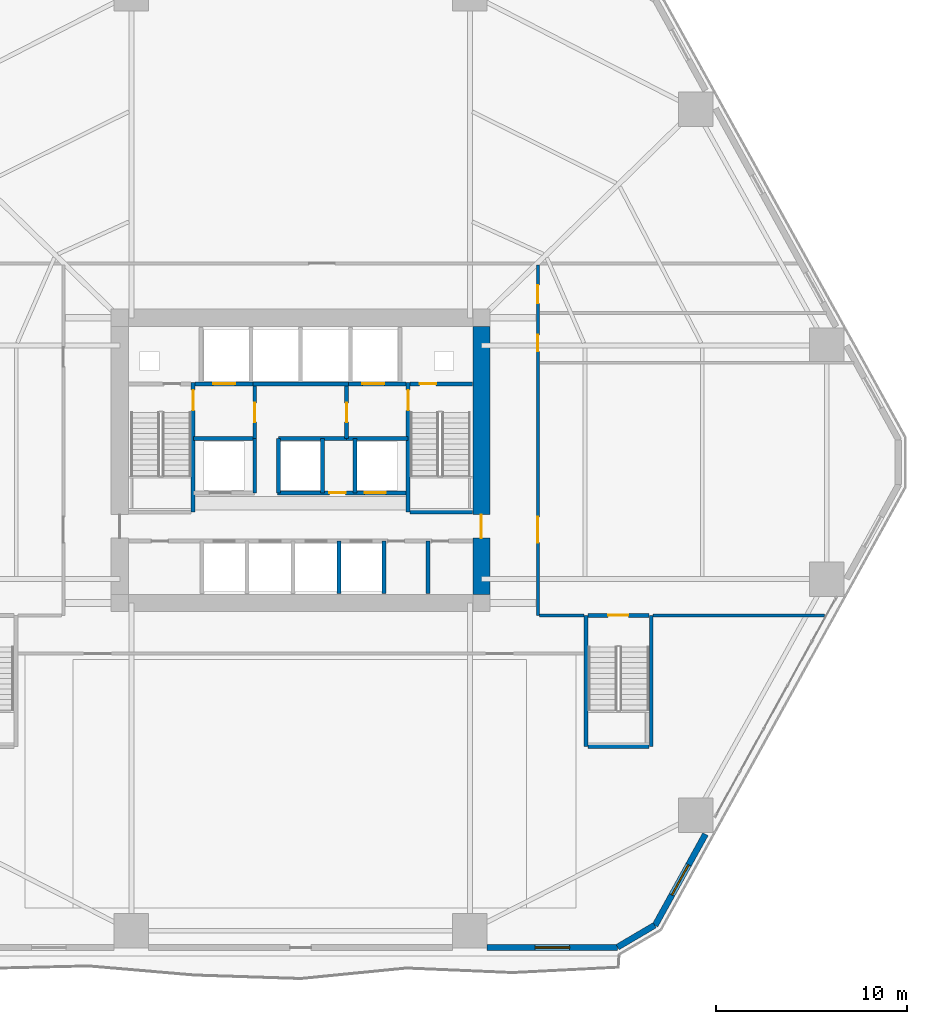
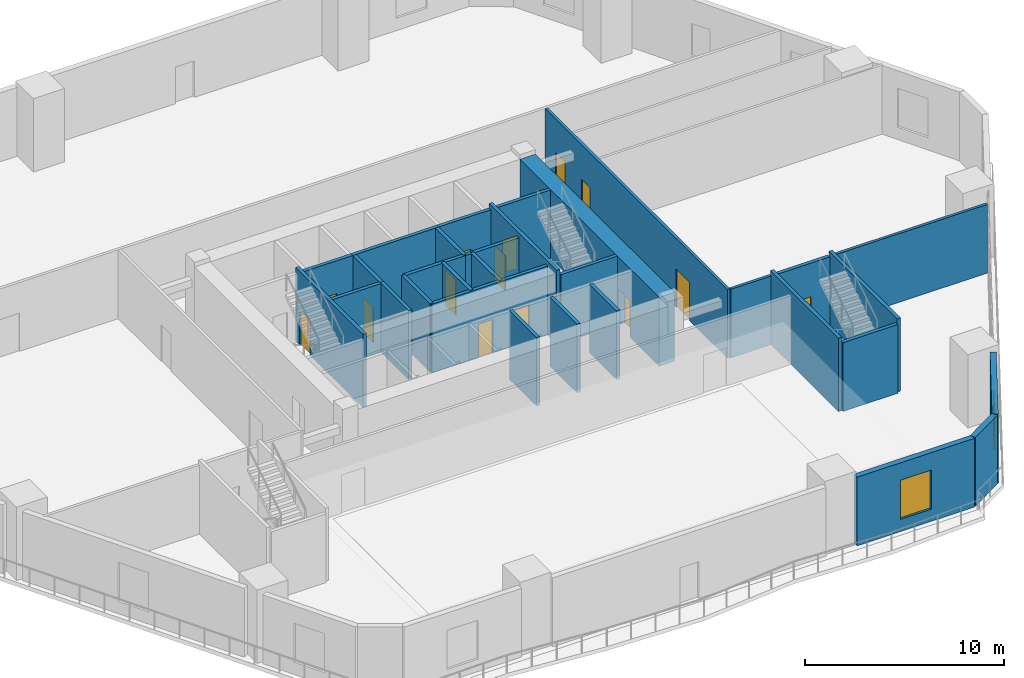
# One storey, part 10 of 18: 31 walls, 14 doors, 2 windows, 16 openings.
"""IFC4 building model written with IfcOpenShell, lengths in metres."""

import ifcopenshell
import ifcopenshell.guid

model = None  # the IFC model being written
_history = None  # IfcOwnerHistory: only IFC2X3 demands one
_inside = {}  # id of a spatial element -> (the spatial element, [elements in it])
_under = {}  # id of a project, library or spatial element -> (it, [spatial elements below it])
_declared = {}  # id of a project -> (the project, [libraries it declares])
_typed = {}  # id of a type object -> (the type object, [elements of that type])
_made_of = {}  # id of a material, layer set ... -> (it, [elements and type objects made of it])


def new_model(schema):
    """Start an empty IFC model of exactly this schema.

    Asked for "IFC4X3", IfcOpenShell would pick the latest addendum, in which some entities
    have other attributes; the version numbers below select the first issue.
    IFC2X3 requires an IfcOwnerHistory on every rooted entity: one is made here for all.
    """
    global model, _history
    if schema == "IFC4X3":
        model = ifcopenshell.file(schema_version=(4, 3, 0, 0))
    else:
        model = ifcopenshell.file(schema=schema)
    _inside.clear()
    _under.clear()
    _declared.clear()
    _typed.clear()
    _made_of.clear()
    _history = None
    if model.schema == "IFC2X3":
        org = make("IfcOrganization", Name="unknown")
        user = make(
            "IfcPersonAndOrganization",
            ThePerson=make("IfcPerson", FamilyName="unknown"),
            TheOrganization=org,
        )
        app = make(
            "IfcApplication",
            ApplicationDeveloper=org,
            Version="unknown",
            ApplicationFullName="unknown",
            ApplicationIdentifier="unknown",
        )
        _history = make(
            "IfcOwnerHistory",
            OwningUser=user,
            OwningApplication=app,
            ChangeAction="ADDED",
            CreationDate=0,
        )
    return model


def make(cls, **values):
    """One entity of the class cls with the attributes given. An attribute that is None is left unset."""
    return model.create_entity(
        cls, **{name: value for name, value in values.items() if value is not None}
    )


def rooted(cls, **values):
    """An entity with a GlobalId (a new one), such as an element, a storey or a relation."""
    return make(cls, GlobalId=ifcopenshell.guid.new(), OwnerHistory=_history, **values)


def si_unit(unit_type, name, prefix=None):
    """IfcSIUnit, for example si_unit("LENGTHUNIT", "METRE", prefix="MILLI")."""
    return make("IfcSIUnit", UnitType=unit_type, Prefix=prefix, Name=name)


def assignment(units):
    """IfcUnitAssignment: the units of a project."""
    return None if units is None else make("IfcUnitAssignment", Units=units)


def point(xyz):
    """IfcCartesianPoint."""
    return None if xyz is None else make("IfcCartesianPoint", Coordinates=xyz)


def direction(xyz):
    """IfcDirection."""
    return None if xyz is None else make("IfcDirection", DirectionRatios=xyz)


def frame(location, z_axis=None, x_axis=None):
    """IfcAxis2Placement3D, a coordinate frame: its origin and axes. An axis left out is left unset."""
    return make(
        "IfcAxis2Placement3D",
        Location=point(location),
        Axis=direction(z_axis),
        RefDirection=direction(x_axis),
    )


def frame_2d(location, x_axis=None):
    """IfcAxis2Placement2D, a coordinate frame in the plane: its origin and x axis."""
    return make(
        "IfcAxis2Placement2D", Location=point(location), RefDirection=direction(x_axis)
    )


def origin():
    """The frame at (0, 0, 0) with its axes left unset."""
    return frame((0.0, 0.0, 0.0))


def place(relative_to, where):
    """IfcLocalPlacement: puts the frame where relative to a parent placement (None: the world)."""
    return make(
        "IfcLocalPlacement", PlacementRelTo=relative_to, RelativePlacement=where
    )


def context(
    kind, dimensions, precision=None, world=None, true_north=None, identifier=None
):
    """IfcGeometricRepresentationContext, for example the 3D "Model" context."""
    return make(
        "IfcGeometricRepresentationContext",
        ContextIdentifier=identifier,
        ContextType=kind,
        CoordinateSpaceDimension=dimensions,
        Precision=precision,
        WorldCoordinateSystem=world,
        TrueNorth=true_north,
    )


def subcontext(parent, identifier, kind, view, scale=None):
    """IfcGeometricRepresentationSubContext, for example "Body" below "Model"."""
    return make(
        "IfcGeometricRepresentationSubContext",
        ContextIdentifier=identifier,
        ContextType=kind,
        ParentContext=parent,
        TargetScale=scale,
        TargetView=view,
    )


def project(units=None, contexts=None):
    """IfcProject with its units and contexts."""
    return rooted(
        "IfcProject",
        Name="project",
        RepresentationContexts=contexts,
        UnitsInContext=assignment(units),
    )


def spatial(cls, under=None, at=None, **own):
    """A site, building, storey or space (cls), placed at a placement, below another one or the project."""
    s = rooted(cls, ObjectPlacement=at, **own)
    if under is not None:
        _under.setdefault(under.id(), (under, []))[1].append(s)
    return s


def profile(cls, at=None, kind="AREA", **sizes):
    """A parametric profile (cls). Its sizes go by their IFC names, for example OverallWidth=200.0."""
    return make(cls, ProfileType=kind, Position=at, **sizes)


def rectangle(**sizes):
    """IfcRectangleProfileDef."""
    return profile("IfcRectangleProfileDef", **sizes)


def extrude(swept, where, along, depth):
    """IfcExtrudedAreaSolid: the profile swept, set in the frame where, extruded along a direction by depth."""
    return make(
        "IfcExtrudedAreaSolid",
        SweptArea=swept,
        Position=where,
        ExtrudedDirection=direction(along),
        Depth=depth,
    )


def shape(context_of_items, identifier, shape_type, items):
    """IfcShapeRepresentation: the items that make up one representation, for example the "Body"."""
    return make(
        "IfcShapeRepresentation",
        ContextOfItems=context_of_items,
        RepresentationIdentifier=identifier,
        RepresentationType=shape_type,
        Items=items,
    )


def material(Name=None, Category=None):
    """IfcMaterial."""
    return make("IfcMaterial", Name=Name, Category=Category)


def layer(
    of_material, thickness, ventilated=None, Name=None, Category=None, Priority=None
):
    """IfcMaterialLayer: one layer of a wall or slab, of a material (None: an air gap)."""
    return make(
        "IfcMaterialLayer",
        Material=of_material,
        LayerThickness=thickness,
        IsVentilated=ventilated,
        Name=Name,
        Category=Category,
        Priority=Priority,
    )


def layer_set(layers, Name=None):
    """IfcMaterialLayerSet."""
    return make("IfcMaterialLayerSet", MaterialLayers=layers, LayerSetName=Name)


def made_of(thing, what):
    """Note that an element or type object is made of a material, layer set ...; save() writes the relation."""
    if what is not None:
        _made_of.setdefault(what.id(), (what, []))[1].append(thing)
    return thing


def type_object(cls, material=None, **own):
    """A type object (cls), such as IfcWallType, which elements share."""
    return made_of(rooted(cls, **own), material)


def element(
    cls,
    number,
    at=None,
    inside=None,
    cuts=None,
    type_object=None,
    material=None,
    context=None,
    identifier="Body",
    shape_type=None,
    held_by="IfcProductDefinitionShape",
    body=None,
    shapes=None,
    **own,
):
    """One element of the class cls, such as IfcWall. Its Tag is "e" and its number.

    at: its placement. inside: the storey or other place that contains it. cuts: it is an
    opening in that element (IfcRelVoidsElement). A single representation is given by context,
    identifier, shape_type and body (its items); several are given by shapes. held_by: the class
    of the entity that holds the representations. save() writes the other relations.
    """
    e = rooted(cls, Tag="e%d" % number, ObjectPlacement=at, **own)
    if body is not None:
        shapes = [shape(context, identifier, shape_type, body)]
    if shapes is not None:
        e.Representation = make(held_by, Representations=shapes)
    if inside is not None:
        _inside.setdefault(inside.id(), (inside, []))[1].append(e)
    if cuts is not None:
        rooted(
            "IfcRelVoidsElement", RelatingBuildingElement=cuts, RelatedOpeningElement=e
        )
    if type_object is not None:
        _typed.setdefault(type_object.id(), (type_object, []))[1].append(e)
    return made_of(e, material)


def fill(opening, filler):
    """IfcRelFillsElement: the door or window that sits in an opening."""
    return rooted(
        "IfcRelFillsElement",
        RelatingOpeningElement=opening,
        RelatedBuildingElement=filler,
    )


def aggregate(whole, parts):
    """IfcRelAggregates: a whole, such as a stair, and the parts it consists of."""
    return rooted("IfcRelAggregates", RelatingObject=whole, RelatedObjects=parts)


def save(model, path):
    """Write the relations noted so far, then the file.

    IfcRelAggregates (storeys below a building ...), IfcRelContainedInSpatialStructure (elements
    in a storey), IfcRelDefinesByType, IfcRelAssociatesMaterial and IfcRelDeclares: one each for
    every whole, place, type object, material and project.
    """
    for whole, parts in _under.values():
        aggregate(whole, parts)
    for where, things in _inside.values():
        rooted(
            "IfcRelContainedInSpatialStructure",
            RelatedElements=things,
            RelatingStructure=where,
        )
    for kind, things in _typed.values():
        rooted("IfcRelDefinesByType", RelatedObjects=things, RelatingType=kind)
    for what, things in _made_of.values():
        rooted("IfcRelAssociatesMaterial", RelatedObjects=things, RelatingMaterial=what)
    for by, libraries in _declared.values():
        rooted("IfcRelDeclares", RelatingContext=by, RelatedDefinitions=libraries)
    model.write(path)


model = new_model("IFC4")

# Units and contexts
model_context = context("Model", 3, precision=1e-05, world=origin(), true_north=direction((0.0, 1.0)))
body_context = subcontext(model_context, "Body", "Model", "MODEL_VIEW")
ifc_project = project(units=[si_unit("LENGTHUNIT", "METRE"), si_unit("AREAUNIT", "SQUARE_METRE"), si_unit("VOLUMEUNIT", "CUBIC_METRE"), si_unit("PLANEANGLEUNIT", "RADIAN"), si_unit("MASSUNIT", "GRAM", prefix="KILO")], contexts=[model_context])

# Site, building, storey
site_placement = place(None, origin())
site = spatial("IfcSite", under=ifc_project, at=site_placement, CompositionType="ELEMENT")
building_placement = place(site_placement, origin())
building = spatial("IfcBuilding", under=site, at=building_placement, Name="Cinnabar Lancet Tower", CompositionType="ELEMENT")
storey_placement = place(building_placement, frame((0.0, 0.0, 15.0)))
storey = spatial("IfcBuildingStorey", under=building, at=storey_placement, Name="L03", CompositionType="ELEMENT", Elevation=15.0)

# Walls
ifc_material_1 = material(Name="Acoustic twin-stud gypsum partition", Category="gypsum")
ifc_layer_1 = layer(ifc_material_1, 0.159912109375)
ifc_layer_set_1 = layer_set([ifc_layer_1], Name="Acoustic twin-stud gypsum partition")
wall_type_1 = type_object("IfcWallType", Name="ARC-WL-CORR-160", PredefinedType="PARTITIONING", material=ifc_layer_set_1)
wall_1_placement = place(storey_placement, frame((44.885009765625, 17.800048828125, 0.0), z_axis=(0.0, 0.0, 1.0), x_axis=(1.0, 0.0, 0.0)))
element("IfcWall", 1, at=wall_1_placement, inside=storey, type_object=wall_type_1, Name="PW-L03-ESTEP", PredefinedType="PARTITIONING", context=body_context, shape_type="SweptSolid", body=[
    extrude(rectangle(XDim=2.330078125, YDim=0.159912109375, at=frame_2d((1.1650390625, 0.0))), origin(), (0.0, 0.0, 1.0), 4.219970703125),
])
wall_2_placement = place(storey_placement, frame((50.824951171875, 17.800048828125, 0.0), z_axis=(0.0, 0.0, 1.0), x_axis=(1.0, 0.0, 0.0)))
element("IfcWall", 2, at=wall_2_placement, inside=storey, type_object=wall_type_1, Name="PW-L03-ESF", PredefinedType="PARTITIONING", context=body_context, shape_type="SweptSolid", body=[
    extrude(rectangle(XDim=8.955078125, YDim=0.159912109375, at=frame_2d((4.4775390625, 0.0))), origin(), (0.0, 0.0, 1.0), 4.219970703125),
])

# Wall, openings, doors
wall_3_placement = place(storey_placement, frame((44.800048828125, 17.800048828125, 0.0), z_axis=(0.0, 0.0, 1.0), x_axis=(0.0, 1.0, 0.0)))
wall_3 = element("IfcWall", 3, at=wall_3_placement, inside=storey, type_object=wall_type_1, Name="PW-L03-EWG", PredefinedType="PARTITIONING", context=body_context, shape_type="SweptSolid", body=[
    extrude(rectangle(XDim=18.31494140625, YDim=0.159912109375, at=frame_2d((9.157470703125, 0.0))), origin(), (0.0, 0.0, 1.0), 4.219970703125),
])
opening_1_placement = place(wall_3_placement, frame((3.800048828125, 0.0, 0.0)))
opening_1 = element("IfcOpeningElement", 4, at=opening_1_placement, cuts=wall_3, Name="Opening UD-02", PredefinedType="OPENING", context=body_context, shape_type="SweptSolid", body=[
    extrude(rectangle(XDim=1.35009765625, YDim=2.35009765625, at=frame_2d((0.675048828125, 1.175048828125))), frame((0.0, 0.08984375, 0.0), z_axis=(0.0, -1.0, 0.0), x_axis=(1.0, 0.0, 0.0)), (0.0, 0.0, 1.0), 0.179931640625),
])
opening_2_placement = place(wall_3_placement, frame((13.800048828125, 0.0, 0.0)))
opening_2 = element("IfcOpeningElement", 5, at=opening_2_placement, cuts=wall_3, Name="Opening BD-01", PredefinedType="OPENING", context=body_context, shape_type="SweptSolid", body=[
    extrude(rectangle(XDim=0.860107421875, YDim=2.10009765625, at=frame_2d((0.43017578125, 1.050048828125))), frame((0.0, 0.08984375, 0.0), z_axis=(0.0, -1.0, 0.0), x_axis=(1.0, 0.0, 0.0)), (0.0, 0.0, 1.0), 0.179931640625),
])
opening_3_placement = place(wall_3_placement, frame((16.300048828125, 0.0, 0.0)))
opening_3 = element("IfcOpeningElement", 6, at=opening_3_placement, cuts=wall_3, Name="Opening BD-02", PredefinedType="OPENING", context=body_context, shape_type="SweptSolid", body=[
    extrude(rectangle(XDim=0.9599609375, YDim=2.14990234375, at=frame_2d((0.47998046875, 1.074951171875))), frame((0.0, 0.08984375, 0.0), z_axis=(0.0, -1.0, 0.0), x_axis=(1.0, 0.0, 0.0)), (0.0, 0.0, 1.0), 0.179931640625),
])
ifc_material_2 = material(Name="Accessible wide-leaf washroom door", Category="wood")
door_type_1 = type_object("IfcDoorType", Name="ARC-DR-ACCWC", OperationType="NOTDEFINED", PredefinedType="DOOR", material=ifc_material_2)
door_1_placement = place(opening_3_placement, origin())
door_1 = element("IfcDoor", 7, at=door_1_placement, inside=storey, type_object=door_type_1, Name="DR-L03-ACCWC", OperationType="SINGLE_SWING_RIGHT", OverallHeight=2.14990234375, OverallWidth=0.9599609375, PredefinedType="DOOR", context=body_context, shape_type="SweptSolid", body=[
    extrude(rectangle(XDim=0.9599609375, YDim=2.14990234375, at=frame_2d((0.47998046875, 1.074951171875))), frame((0.0, 0.02490234375, 0.0), z_axis=(0.0, -1.0, 0.0), x_axis=(1.0, 0.0, 0.0)), (0.0, 0.0, 1.0), 0.050048828125),
])
fill(opening_3, door_1)
ifc_material_3 = material(Name="Moisture-resistant timber bathroom door", Category="wood")
door_type_2 = type_object("IfcDoorType", Name="ARC-DR-BATH", OperationType="NOTDEFINED", PredefinedType="DOOR", material=ifc_material_3)
door_2_placement = place(opening_2_placement, origin())
door_2 = element("IfcDoor", 8, at=door_2_placement, inside=storey, type_object=door_type_2, Name="DR-L03-PUBWC", OperationType="SINGLE_SWING_LEFT", OverallHeight=2.10009765625, OverallWidth=0.860107421875, PredefinedType="DOOR", context=body_context, shape_type="SweptSolid", body=[
    extrude(rectangle(XDim=0.860107421875, YDim=2.10009765625, at=frame_2d((0.43017578125, 1.050048828125))), frame((0.0, 0.02490234375, 0.0), z_axis=(0.0, -1.0, 0.0), x_axis=(1.0, 0.0, 0.0)), (0.0, 0.0, 1.0), 0.050048828125),
])
fill(opening_2, door_2)
ifc_material_4 = material(Name="Double-leaf solid timber penthouse entrance door", Category="wood")
door_type_3 = type_object("IfcDoorType", Name="ARC-DR-UNIT-PH", OperationType="NOTDEFINED", PredefinedType="DOOR", material=ifc_material_4)
door_3_placement = place(opening_1_placement, origin())
door_3 = element("IfcDoor", 9, at=door_3_placement, inside=storey, type_object=door_type_3, Name="DR-L03-EAST1", OperationType="SINGLE_SWING_RIGHT", OverallHeight=2.35009765625, OverallWidth=1.35009765625, PredefinedType="DOOR", context=body_context, shape_type="SweptSolid", body=[
    extrude(rectangle(XDim=1.35009765625, YDim=2.35009765625, at=frame_2d((0.675048828125, 1.175048828125))), frame((0.0, 0.02490234375, 0.0), z_axis=(0.0, -1.0, 0.0), x_axis=(1.0, 0.0, 0.0)), (0.0, 0.0, 1.0), 0.050048828125),
])
fill(opening_1, door_3)

# Wall
ifc_material_5 = material(Name="Autoclaved aerated concrete blockwork", Category="masonry")
ifc_layer_2 = layer(ifc_material_5, 0.199951171875)
ifc_layer_set_2 = layer_set([ifc_layer_2], Name="Autoclaved aerated concrete blockwork")
wall_type_2 = type_object("IfcWallType", Name="ARC-WL-SHAFT-200", PredefinedType="PLUMBINGWALL", material=ifc_layer_set_2)
wall_4_placement = place(storey_placement, frame((38.125, 23.199951171875, 0.0), z_axis=(0.0, 0.0, 1.0), x_axis=(1.0, 0.0, 0.0)))
element("IfcWall", 10, at=wall_4_placement, inside=storey, type_object=wall_type_2, Name="CW-ST2S-L03", PredefinedType="PLUMBINGWALL", context=body_context, shape_type="SweptSolid", body=[
    extrude(rectangle(XDim=3.27001953125, YDim=0.199951171875, at=frame_2d((1.635009765625, 0.0))), origin(), (0.0, 0.0, 1.0), 4.219970703125),
])

# Wall, opening, door
wall_5_placement = place(storey_placement, frame((26.885009765625, 29.89990234375, 0.0), z_axis=(0.0, 0.0, 1.0), x_axis=(1.0, 0.0, 0.0)))
wall_5 = element("IfcWall", 11, at=wall_5_placement, inside=storey, type_object=wall_type_2, Name="CW-FL1-L03", PredefinedType="PLUMBINGWALL", context=body_context, shape_type="SweptSolid", body=[
    extrude(rectangle(XDim=3.014892578125, YDim=0.199951171875, at=frame_2d((1.50732421875, 0.0))), origin(), (0.0, 0.0, 1.0), 4.219970703125),
])
opening_4_placement = place(wall_5_placement, frame((0.93994140625, 0.0, 0.0)))
opening_4 = element("IfcOpeningElement", 12, at=opening_4_placement, cuts=wall_5, Name="Opening LD-02", PredefinedType="OPENING", context=body_context, shape_type="SweptSolid", body=[
    extrude(rectangle(XDim=1.14990234375, YDim=2.199951171875, at=frame_2d((0.574951171875, 1.10009765625))), frame((0.0, 0.10986328125, 0.0), z_axis=(0.0, -1.0, 0.0), x_axis=(1.0, 0.0, 0.0)), (0.0, 0.0, 1.0), 0.219970703125),
])
ifc_material_6 = material(Name="Fire-rated stainless steel firefighting lift landing door", Category="steel")
door_type_4 = type_object("IfcDoorType", Name="ARC-DR-LD-FIRE", OperationType="NOTDEFINED", PredefinedType="DOOR", material=ifc_material_6)
door_4_placement = place(opening_4_placement, origin())
door_4 = element("IfcDoor", 13, at=door_4_placement, inside=storey, type_object=door_type_4, Name="L03 Firefighting Lift FL-1 Landing Door", OperationType="DOUBLE_DOOR_SLIDING", OverallHeight=2.199951171875, OverallWidth=1.14990234375, PredefinedType="DOOR", context=body_context, shape_type="SweptSolid", body=[
    extrude(rectangle(XDim=1.14990234375, YDim=2.199951171875, at=frame_2d((0.574951171875, 1.10009765625))), frame((0.0, 0.02490234375, 0.0), z_axis=(0.0, -1.0, 0.0), x_axis=(1.0, 0.0, 0.0)), (0.0, 0.0, 1.0), 0.050048828125),
])
fill(opening_4, door_4)

# Wall
wall_6_placement = place(storey_placement, frame((29.89990234375, 29.89990234375, 0.0), z_axis=(0.0, 0.0, 1.0), x_axis=(1.0, 0.0, 0.0)))
element("IfcWall", 14, at=wall_6_placement, inside=storey, type_object=wall_type_2, Name="CW-PL78-L03", PredefinedType="PLUMBINGWALL", context=body_context, shape_type="SweptSolid", body=[
    extrude(rectangle(XDim=5.0, YDim=0.199951171875, at=frame_2d((2.5, 0.0))), origin(), (0.0, 0.0, 1.0), 4.219970703125),
])

# Wall, opening, door
wall_7_placement = place(storey_placement, frame((34.89990234375, 29.89990234375, 0.0), z_axis=(0.0, 0.0, 1.0), x_axis=(1.0, 0.0, 0.0)))
wall_7 = element("IfcWall", 15, at=wall_7_placement, inside=storey, type_object=wall_type_2, Name="CW-FL2-L03", PredefinedType="PLUMBINGWALL", context=body_context, shape_type="SweptSolid", body=[
    extrude(rectangle(XDim=3.01513671875, YDim=0.199951171875, at=frame_2d((1.507568359375, 0.0))), origin(), (0.0, 0.0, 1.0), 4.219970703125),
])
opening_5_placement = place(wall_7_placement, frame((0.72509765625, 0.0, 0.0)))
opening_5 = element("IfcOpeningElement", 16, at=opening_5_placement, cuts=wall_7, Name="Opening LD-02", PredefinedType="OPENING", context=body_context, shape_type="SweptSolid", body=[
    extrude(rectangle(XDim=1.14990234375, YDim=2.199951171875, at=frame_2d((0.574951171875, 1.10009765625))), frame((0.0, 0.10986328125, 0.0), z_axis=(0.0, -1.0, 0.0), x_axis=(1.0, 0.0, 0.0)), (0.0, 0.0, 1.0), 0.219970703125),
])
door_5_placement = place(opening_5_placement, origin())
door_5 = element("IfcDoor", 17, at=door_5_placement, inside=storey, type_object=door_type_4, Name="L03 Firefighting Lift FL-2 Landing Door", OperationType="DOUBLE_DOOR_SLIDING", OverallHeight=2.199951171875, OverallWidth=1.14990234375, PredefinedType="DOOR", context=body_context, shape_type="SweptSolid", body=[
    extrude(rectangle(XDim=1.14990234375, YDim=2.199951171875, at=frame_2d((0.574951171875, 1.10009765625))), frame((0.0, 0.02490234375, 0.0), z_axis=(0.0, -1.0, 0.0), x_axis=(1.0, 0.0, 0.0)), (0.0, 0.0, 1.0), 0.050048828125),
])
fill(opening_5, door_5)

wall_8_placement = place(storey_placement, frame((38.125, 29.89990234375, 0.0), z_axis=(0.0, 0.0, 1.0), x_axis=(1.0, 0.0, 0.0)))
wall_8 = element("IfcWall", 18, at=wall_8_placement, inside=storey, type_object=wall_type_2, Name="CW-NSH-E-L03", PredefinedType="PLUMBINGWALL", context=body_context, shape_type="SweptSolid", body=[
    extrude(rectangle(XDim=3.27001953125, YDim=0.199951171875, at=frame_2d((1.635009765625, 0.0))), origin(), (0.0, 0.0, 1.0), 4.219970703125),
])
opening_6_placement = place(wall_8_placement, frame((0.5, 0.0, 0.0)))
opening_6 = element("IfcOpeningElement", 19, at=opening_6_placement, cuts=wall_8, Name="Opening PD-02", PredefinedType="OPENING", context=body_context, shape_type="SweptSolid", body=[
    extrude(rectangle(XDim=0.85009765625, YDim=2.050048828125, at=frame_2d((0.425048828125, 1.02490234375))), frame((0.0, 0.10986328125, 0.0), z_axis=(0.0, -1.0, 0.0), x_axis=(1.0, 0.0, 0.0)), (0.0, 0.0, 1.0), 0.219970703125),
])
ifc_material_7 = material(Name="Fire-rated steel riser access door", Category="steel")
door_type_5 = type_object("IfcDoorType", Name="ARC-DR-RISER", OperationType="NOTDEFINED", PredefinedType="DOOR", material=ifc_material_7)
door_6_placement = place(opening_6_placement, origin())
door_6 = element("IfcDoor", 20, at=door_6_placement, inside=storey, type_object=door_type_5, Name="L03 East Riser Access Door", OperationType="SINGLE_SWING_RIGHT", OverallHeight=2.050048828125, OverallWidth=0.85009765625, PredefinedType="DOOR", context=body_context, shape_type="SweptSolid", body=[
    extrude(rectangle(XDim=0.85009765625, YDim=2.050048828125, at=frame_2d((0.425048828125, 1.02490234375))), frame((0.0, 0.02490234375, 0.0), z_axis=(0.0, -1.0, 0.0), x_axis=(1.0, 0.0, 0.0)), (0.0, 0.0, 1.0), 0.050048828125),
])
fill(opening_6, door_6)

wall_9_placement = place(storey_placement, frame((30.0, 27.050048828125, 0.0), z_axis=(0.0, 0.0, 1.0), x_axis=(0.0, 1.0, 0.0)))
wall_9 = element("IfcWall", 21, at=wall_9_placement, inside=storey, type_object=wall_type_2, Name="CW-FF1E-L03", PredefinedType="PLUMBINGWALL", context=body_context, shape_type="SweptSolid", body=[
    extrude(rectangle(XDim=2.75, YDim=0.199951171875, at=frame_2d((1.375, 0.0))), origin(), (0.0, 0.0, 1.0), 4.219970703125),
])
opening_7_placement = place(wall_9_placement, frame((0.85009765625, 0.0, 0.0)))
opening_7 = element("IfcOpeningElement", 22, at=opening_7_placement, cuts=wall_9, Name="Opening FD-01", PredefinedType="OPENING", context=body_context, shape_type="SweptSolid", body=[
    extrude(rectangle(XDim=1.0, YDim=2.14990234375, at=frame_2d((0.5, 1.074951171875))), frame((0.0, 0.10986328125, 0.0), z_axis=(0.0, -1.0, 0.0), x_axis=(1.0, 0.0, 0.0)), (0.0, 0.0, 1.0), 0.219970703125),
])
ifc_material_8 = material(Name="Fire-rated timber-core lobby door", Category="wood")
door_type_6 = type_object("IfcDoorType", Name="ARC-DR-FFAL", OperationType="NOTDEFINED", PredefinedType="DOOR", material=ifc_material_8)
door_7_placement = place(opening_7_placement, origin())
door_7 = element("IfcDoor", 23, at=door_7_placement, inside=storey, type_object=door_type_6, Name="L03 FFAL-1 Lobby Fire Door", OperationType="SINGLE_SWING_RIGHT", OverallHeight=2.14990234375, OverallWidth=1.0, PredefinedType="DOOR", context=body_context, shape_type="SweptSolid", body=[
    extrude(rectangle(XDim=1.0, YDim=2.14990234375, at=frame_2d((0.5, 1.074951171875))), frame((0.0, 0.02490234375, 0.0), z_axis=(0.0, -1.0, 0.0), x_axis=(1.0, 0.0, 0.0)), (0.0, 0.0, 1.0), 0.050048828125),
])
fill(opening_7, door_7)

# Wall
wall_10_placement = place(storey_placement, frame((26.800048828125, 27.050048828125, 0.0), z_axis=(0.0, 0.0, 1.0), x_axis=(1.0, 0.0, 0.0)))
element("IfcWall", 24, at=wall_10_placement, inside=storey, type_object=wall_type_2, Name="CW-FF1S-L03", PredefinedType="PLUMBINGWALL", context=body_context, shape_type="SweptSolid", body=[
    extrude(rectangle(XDim=3.199951171875, YDim=0.199951171875, at=frame_2d((1.60009765625, 0.0))), origin(), (0.0, 0.0, 1.0), 4.219970703125),
])

# Wall, opening, door
wall_11_placement = place(storey_placement, frame((34.800048828125, 27.050048828125, 0.0), z_axis=(0.0, 0.0, 1.0), x_axis=(0.0, 1.0, 0.0)))
wall_11 = element("IfcWall", 25, at=wall_11_placement, inside=storey, type_object=wall_type_2, Name="CW-FF2W-L03", PredefinedType="PLUMBINGWALL", context=body_context, shape_type="SweptSolid", body=[
    extrude(rectangle(XDim=2.75, YDim=0.199951171875, at=frame_2d((1.375, 0.0))), origin(), (0.0, 0.0, 1.0), 4.219970703125),
])
opening_8_placement = place(wall_11_placement, frame((0.85009765625, 0.0, 0.0)))
opening_8 = element("IfcOpeningElement", 26, at=opening_8_placement, cuts=wall_11, Name="Opening FD-01", PredefinedType="OPENING", context=body_context, shape_type="SweptSolid", body=[
    extrude(rectangle(XDim=1.0, YDim=2.14990234375, at=frame_2d((0.5, 1.074951171875))), frame((0.0, 0.10986328125, 0.0), z_axis=(0.0, -1.0, 0.0), x_axis=(1.0, 0.0, 0.0)), (0.0, 0.0, 1.0), 0.219970703125),
])
door_8_placement = place(opening_8_placement, origin())
door_8 = element("IfcDoor", 27, at=door_8_placement, inside=storey, type_object=door_type_6, Name="L03 FFAL-2 Lobby Fire Door", OperationType="SINGLE_SWING_LEFT", OverallHeight=2.14990234375, OverallWidth=1.0, PredefinedType="DOOR", context=body_context, shape_type="SweptSolid", body=[
    extrude(rectangle(XDim=1.0, YDim=2.14990234375, at=frame_2d((0.5, 1.074951171875))), frame((0.0, 0.02490234375, 0.0), z_axis=(0.0, -1.0, 0.0), x_axis=(1.0, 0.0, 0.0)), (0.0, 0.0, 1.0), 0.050048828125),
])
fill(opening_8, door_8)

# Walls
wall_12_placement = place(storey_placement, frame((34.800048828125, 27.050048828125, 0.0), z_axis=(0.0, 0.0, 1.0), x_axis=(1.0, 0.0, 0.0)))
element("IfcWall", 28, at=wall_12_placement, inside=storey, type_object=wall_type_2, Name="CW-FF2S-L03", PredefinedType="PLUMBINGWALL", context=body_context, shape_type="SweptSolid", body=[
    extrude(rectangle(XDim=3.199951171875, YDim=0.199951171875, at=frame_2d((1.60009765625, 0.0))), origin(), (0.0, 0.0, 1.0), 4.219970703125),
])
wall_13_placement = place(storey_placement, frame((30.0, 24.199951171875, 0.0), z_axis=(0.0, 0.0, 1.0), x_axis=(0.0, 1.0, 0.0)))
element("IfcWall", 29, at=wall_13_placement, inside=storey, type_object=wall_type_2, Name="CW-PL5E-L03", PredefinedType="PLUMBINGWALL", context=body_context, shape_type="SweptSolid", body=[
    extrude(rectangle(XDim=2.85009765625, YDim=0.199951171875, at=frame_2d((1.425048828125, 0.0))), origin(), (0.0, 0.0, 1.0), 4.219970703125),
])

# Wall, openings, doors
wall_14_placement = place(storey_placement, frame((31.199951171875, 24.199951171875, 0.0), z_axis=(0.0, 0.0, 1.0), x_axis=(1.0, 0.0, 0.0)))
wall_14 = element("IfcWall", 30, at=wall_14_placement, inside=storey, type_object=wall_type_2, Name="CW-PL96S-L03", PredefinedType="PLUMBINGWALL", context=body_context, shape_type="SweptSolid", body=[
    extrude(rectangle(XDim=6.800048828125, YDim=0.199951171875, at=frame_2d((3.39990234375, 0.0))), origin(), (0.0, 0.0, 1.0), 4.219970703125),
])
opening_9_placement = place(wall_14_placement, frame((2.699951171875, 0.0, 0.0)))
opening_9 = element("IfcOpeningElement", 31, at=opening_9_placement, cuts=wall_14, Name="Opening PD-02", PredefinedType="OPENING", context=body_context, shape_type="SweptSolid", body=[
    extrude(rectangle(XDim=0.85009765625, YDim=2.050048828125, at=frame_2d((0.425048828125, 1.02490234375))), frame((0.0, 0.10986328125, 0.0), z_axis=(0.0, -1.0, 0.0), x_axis=(1.0, 0.0, 0.0)), (0.0, 0.0, 1.0), 0.219970703125),
])
opening_10_placement = place(wall_14_placement, frame((4.550048828125, 0.0, 0.0)))
opening_10 = element("IfcOpeningElement", 32, at=opening_10_placement, cuts=wall_14, Name="Opening LD-01", PredefinedType="OPENING", context=body_context, shape_type="SweptSolid", body=[
    extrude(rectangle(XDim=1.10009765625, YDim=2.199951171875, at=frame_2d((0.550048828125, 1.10009765625))), frame((0.0, 0.10986328125, 0.0), z_axis=(0.0, -1.0, 0.0), x_axis=(1.0, 0.0, 0.0)), (0.0, 0.0, 1.0), 0.219970703125),
])
ifc_material_9 = material(Name="Brushed stainless steel sliding lift door", Category="steel")
door_type_7 = type_object("IfcDoorType", Name="ARC-DR-LD-PASS", OperationType="NOTDEFINED", PredefinedType="DOOR", material=ifc_material_9)
door_9_placement = place(opening_10_placement, origin())
door_9 = element("IfcDoor", 33, at=door_9_placement, inside=storey, type_object=door_type_7, Name="L03 Lift PL-6 Landing Door", OperationType="DOUBLE_DOOR_SLIDING", OverallHeight=2.199951171875, OverallWidth=1.10009765625, PredefinedType="DOOR", context=body_context, shape_type="SweptSolid", body=[
    extrude(rectangle(XDim=1.10009765625, YDim=2.199951171875, at=frame_2d((0.550048828125, 1.10009765625))), frame((0.0, 0.02490234375, 0.0), z_axis=(0.0, -1.0, 0.0), x_axis=(1.0, 0.0, 0.0)), (0.0, 0.0, 1.0), 0.050048828125),
])
fill(opening_10, door_9)
door_10_placement = place(opening_9_placement, origin())
door_10 = element("IfcDoor", 34, at=door_10_placement, inside=storey, type_object=door_type_5, Name="L03 BMS Closet Door", OperationType="SINGLE_SWING_LEFT", OverallHeight=2.050048828125, OverallWidth=0.85009765625, PredefinedType="DOOR", context=body_context, shape_type="SweptSolid", body=[
    extrude(rectangle(XDim=0.85009765625, YDim=2.050048828125, at=frame_2d((0.425048828125, 1.02490234375))), frame((0.0, 0.02490234375, 0.0), z_axis=(0.0, -1.0, 0.0), x_axis=(1.0, 0.0, 0.0)), (0.0, 0.0, 1.0), 0.050048828125),
])
fill(opening_9, door_10)

# Walls
for number, where, z_axis, x_axis, name in (
    (35, (31.25, 24.199951171875, 0.0), (0.0, 0.0, 1.0), (0.0, 1.0, 0.0), "CW-PL9W-L03"),
    (36, (33.550048828125, 24.199951171875, 0.0), (0.0, 0.0, 1.0), (0.0, 1.0, 0.0), "CW-PL9E-L03"),
    (37, (35.25, 24.199951171875, 0.0), (0.0, 0.0, 1.0), (0.0, 1.0, 0.0), "CW-PL6W-L03"),
):
    element("IfcWall", number, at=place(storey_placement, frame(where, z_axis=z_axis, x_axis=x_axis)), inside=storey, type_object=wall_type_2, Name=name, PredefinedType="PLUMBINGWALL", context=body_context, shape_type="SweptSolid", body=[
        extrude(rectangle(XDim=2.85009765625, YDim=0.199951171875, at=frame_2d((1.425048828125, 0.0))), origin(), (0.0, 0.0, 1.0), 4.219970703125),
    ])
wall_15_placement = place(storey_placement, frame((31.25, 27.050048828125, 0.0), z_axis=(0.0, 0.0, 1.0), x_axis=(1.0, 0.0, 0.0)))
element("IfcWall", 38, at=wall_15_placement, inside=storey, type_object=wall_type_2, Name="CW-PL96N-L03", PredefinedType="PLUMBINGWALL", context=body_context, shape_type="SweptSolid", body=[
    extrude(rectangle(XDim=3.550048828125, YDim=0.199951171875, at=frame_2d((1.77490234375, 0.0))), origin(), (0.0, 0.0, 1.0), 4.219970703125),
])
for number, where, z_axis, x_axis, name in (
    (39, (34.39990234375, 18.949951171875, 0.0), (0.0, 0.0, 1.0), (0.0, 1.0, 0.0), "CW-SB-3440-L03"),
    (40, (36.75, 18.949951171875, 0.0), (0.0, 0.0, 1.0), (0.0, 1.0, 0.0), "CW-SB-3675-L03"),
    (41, (39.050048828125, 18.949951171875, 0.0), (0.0, 0.0, 1.0), (0.0, 1.0, 0.0), "CW-SB-SE-L03"),
):
    element("IfcWall", number, at=place(storey_placement, frame(where, z_axis=z_axis, x_axis=x_axis)), inside=storey, type_object=wall_type_2, Name=name, PredefinedType="PLUMBINGWALL", context=body_context, shape_type="SweptSolid", body=[
        extrude(rectangle(XDim=2.72998046875, YDim=0.199951171875, at=frame_2d((1.364990234375, 0.0))), origin(), (0.0, 0.0, 1.0), 4.219970703125),
    ])
wall_16_placement = place(storey_placement, frame((47.425048828125, 10.949951171875, 0.0), z_axis=(0.0, 0.0, 1.0), x_axis=(1.0, 0.0, 0.0)))
element("IfcWall", 42, at=wall_16_placement, inside=storey, type_object=wall_type_2, Name="PW-ST4S-L03", PredefinedType="PLUMBINGWALL", context=body_context, shape_type="SweptSolid", body=[
    extrude(rectangle(XDim=3.18994140625, YDim=0.199951171875, at=frame_2d((1.594970703125, 0.0))), origin(), (0.0, 0.0, 1.0), 4.219970703125),
])

# Wall, opening, door
wall_17_placement = place(storey_placement, frame((47.425048828125, 17.800048828125, 0.0), z_axis=(0.0, 0.0, 1.0), x_axis=(1.0, 0.0, 0.0)))
wall_17 = element("IfcWall", 43, at=wall_17_placement, inside=storey, type_object=wall_type_2, Name="PW-ST4N-L03", PredefinedType="PLUMBINGWALL", context=body_context, shape_type="SweptSolid", body=[
    extrude(rectangle(XDim=3.18994140625, YDim=0.199951171875, at=frame_2d((1.594970703125, 0.0))), origin(), (0.0, 0.0, 1.0), 4.219970703125),
])
opening_11_placement = place(wall_17_placement, frame((1.050048828125, 0.0, 0.0)))
opening_11 = element("IfcOpeningElement", 44, at=opening_11_placement, cuts=wall_17, Name="Opening SD-01", PredefinedType="OPENING", context=body_context, shape_type="SweptSolid", body=[
    extrude(rectangle(XDim=1.050048828125, YDim=2.14990234375, at=frame_2d((0.52490234375, 1.074951171875))), frame((0.0, 0.10986328125, 0.0), z_axis=(0.0, -1.0, 0.0), x_axis=(1.0, 0.0, 0.0)), (0.0, 0.0, 1.0), 0.219970703125),
])
ifc_material_10 = material(Name="Fire-rated steel stair exit door", Category="steel")
door_type_8 = type_object("IfcDoorType", Name="ARC-DR-STAIR", OperationType="NOTDEFINED", PredefinedType="DOOR", material=ifc_material_10)
door_11_placement = place(opening_11_placement, origin())
door_11 = element("IfcDoor", 45, at=door_11_placement, inside=storey, type_object=door_type_8, Name="L03 Podium Stair ST-4 Fire Door", OperationType="SINGLE_SWING_RIGHT", OverallHeight=2.14990234375, OverallWidth=1.050048828125, PredefinedType="DOOR", context=body_context, shape_type="SweptSolid", body=[
    extrude(rectangle(XDim=1.050048828125, YDim=2.14990234375, at=frame_2d((0.52490234375, 1.074951171875))), frame((0.0, 0.02490234375, 0.0), z_axis=(0.0, -1.0, 0.0), x_axis=(1.0, 0.0, 0.0)), (0.0, 0.0, 1.0), 0.050048828125),
])
fill(opening_11, door_11)

# Wall
ifc_material_11 = material(Name="Warm buff clay brick", Category="masonry")
ifc_layer_3 = layer(ifc_material_11, 0.320068359375)
ifc_layer_set_3 = layer_set([ifc_layer_3], Name="Warm buff clay brick")
wall_type_3 = type_object("IfcWallType", Name="ENV-WL-BRK-BUF-320", PredefinedType="STANDARD", material=ifc_layer_set_3)
wall_18_placement = place(storey_placement, frame((48.962890625, 0.462890625, 0.0), z_axis=(0.0, 0.0, 1.0), x_axis=(0.861209017918, 0.508250949293, 0.0)))
element("IfcWall", 46, at=wall_18_placement, inside=storey, type_object=wall_type_3, Name="L03 Chamfered Corner Brick Pier 2.1", PredefinedType="STANDARD", context=body_context, shape_type="SweptSolid", body=[
    extrude(rectangle(XDim=2.2529296875, YDim=0.320068359375, at=frame_2d((1.12646484375, 0.0))), origin(), (0.0, 0.0, 1.0), 4.219970703125),
])

# Wall, opening, window
wall_19_placement = place(storey_placement, frame((42.14892578125, 0.43994140625, 0.0), z_axis=(0.0, 0.0, 1.0), x_axis=(1.0, 0.0, 0.0)))
wall_19 = element("IfcWall", 47, at=wall_19_placement, inside=storey, type_object=wall_type_3, Name="L03 Face 1 Masonry Bay Wall 3", PredefinedType="STANDARD", context=body_context, shape_type="SweptSolid", body=[
    extrude(rectangle(XDim=6.819091796875, YDim=0.320068359375, at=frame_2d((3.40966796875, 0.0))), origin(), (0.0, 0.0, 1.0), 4.219970703125),
])
opening_12_placement = place(wall_19_placement, frame((2.510009765625, 0.0, 0.75)))
opening_12 = element("IfcOpeningElement", 48, at=opening_12_placement, cuts=wall_19, Name="Opening WN-05", PredefinedType="OPENING", context=body_context, shape_type="SweptSolid", body=[
    extrude(rectangle(XDim=1.800048828125, YDim=2.39990234375, at=frame_2d((0.89990234375, 1.199951171875))), frame((0.0, 0.169921875, 0.0), z_axis=(0.0, -1.0, 0.0), x_axis=(1.0, 0.0, 0.0)), (0.0, 0.0, 1.0), 0.340087890625),
])
ifc_material_12 = material(Name="Thermally broken bronze-anodized aluminium podium lancet window", Category="aluminium")
window_type = type_object("IfcWindowType", Name="ENV-WN-POD-1800", PartitioningType="SINGLE_PANEL", PredefinedType="WINDOW", material=ifc_material_12)
window_1_placement = place(opening_12_placement, origin())
window_1 = element("IfcWindow", 49, at=window_1_placement, inside=storey, type_object=window_type, Name="L03 Face 1 Gothic Lancet Window 3", OverallHeight=2.39990234375, OverallWidth=1.800048828125, PartitioningType="SINGLE_PANEL", PredefinedType="WINDOW", context=body_context, shape_type="SweptSolid", body=[
    extrude(rectangle(XDim=1.800048828125, YDim=2.39990234375, at=frame_2d((0.89990234375, 1.199951171875))), frame((0.0, 0.030029296875, 0.0), z_axis=(0.0, -1.0, 0.0), x_axis=(1.0, 0.0, 0.0)), (0.0, 0.0, 1.0), 0.06005859375),
])
fill(opening_12, window_1)

wall_20_placement = place(storey_placement, frame((50.9208984375, 1.593017578125, 0.0), z_axis=(0.0, 0.0, 1.0), x_axis=(0.483675274773, 0.875247524174, 0.0)))
wall_20 = element("IfcWall", 50, at=wall_20_placement, inside=storey, type_object=wall_type_3, Name="L03 Face 2 Masonry Bay Wall 1", PredefinedType="STANDARD", context=body_context, shape_type="SweptSolid", body=[
    extrude(rectangle(XDim=5.449951171875, YDim=0.320068359375, at=frame_2d((2.72509765625, 0.0))), origin(), (0.0, 0.0, 1.0), 4.219970703125),
])
opening_13_placement = place(wall_20_placement, frame((1.824951171875, 0.0, 0.75)))
opening_13 = element("IfcOpeningElement", 51, at=opening_13_placement, cuts=wall_20, Name="Opening WN-05", PredefinedType="OPENING", context=body_context, shape_type="SweptSolid", body=[
    extrude(rectangle(XDim=1.800048828125, YDim=2.39990234375, at=frame_2d((0.89990234375, 1.199951171875))), frame((0.0, 0.169921875, 0.0), z_axis=(0.0, -1.0, 0.0), x_axis=(1.0, 0.0, 0.0)), (0.0, 0.0, 1.0), 0.340087890625),
])
window_2_placement = place(opening_13_placement, origin())
window_2 = element("IfcWindow", 52, at=window_2_placement, inside=storey, type_object=window_type, Name="L03 Face 2 Gothic Lancet Window 1", OverallHeight=2.39990234375, OverallWidth=1.800048828125, PartitioningType="SINGLE_PANEL", PredefinedType="WINDOW", context=body_context, shape_type="SweptSolid", body=[
    extrude(rectangle(XDim=1.800048828125, YDim=2.39990234375, at=frame_2d((0.89990234375, 1.199951171875))), frame((0.0, 0.030029296875, 0.0), z_axis=(0.0, -1.0, 0.0), x_axis=(1.0, 0.0, 0.0)), (0.0, 0.0, 1.0), 0.06005859375),
])
fill(opening_13, window_2)

# Wall, opening, door
ifc_material_13 = material(Name="Concrete C80/95", Category="concrete")
ifc_layer_4 = layer(ifc_material_13, 0.89990234375)
ifc_layer_set_4 = layer_set([ifc_layer_4], Name="Concrete C80/95")
wall_type_4 = type_object("IfcWallType", Name="STR-WL-CORE-900", PredefinedType="SHEAR", material=ifc_layer_set_4)
wall_21_placement = place(storey_placement, frame((41.85009765625, 18.89990234375, 0.0), z_axis=(0.0, 0.0, 1.0), x_axis=(0.0, 1.0, 0.0)))
wall_21 = element("IfcWall", 53, at=wall_21_placement, inside=storey, type_object=wall_type_4, Name="L03 Core Shear Wall E", PredefinedType="SHEAR", context=body_context, shape_type="SweptSolid", body=[
    extrude(rectangle(XDim=14.0, YDim=0.89990234375, at=frame_2d((7.0, 0.0))), origin(), (0.0, 0.0, 1.0), 4.219970703125),
])
opening_14_placement = place(wall_21_placement, frame((2.93994140625, 0.0, 0.0)))
opening_14 = element("IfcOpeningElement", 54, at=opening_14_placement, cuts=wall_21, Name="Opening FD-02", PredefinedType="OPENING", context=body_context, shape_type="SweptSolid", body=[
    extrude(rectangle(XDim=1.219970703125, YDim=2.25, at=frame_2d((0.60986328125, 1.125))), frame((0.0, 0.4599609375, 0.0), z_axis=(0.0, -1.0, 0.0), x_axis=(1.0, 0.0, 0.0)), (0.0, 0.0, 1.0), 0.919921875),
])
ifc_material_14 = material(Name="Fire-rated double-vision core portal door", Category="wood")
door_type_9 = type_object("IfcDoorType", Name="ARC-DR-CPORT", OperationType="NOTDEFINED", PredefinedType="DOOR", material=ifc_material_14)
door_12_placement = place(opening_14_placement, origin())
door_12 = element("IfcDoor", 55, at=door_12_placement, inside=storey, type_object=door_type_9, Name="L03 East Core Lobby Fire Door", OperationType="SINGLE_SWING_LEFT", OverallHeight=2.25, OverallWidth=1.219970703125, PredefinedType="DOOR", context=body_context, shape_type="SweptSolid", body=[
    extrude(rectangle(XDim=1.219970703125, YDim=2.25, at=frame_2d((0.60986328125, 1.125))), frame((0.0, 0.02490234375, 0.0), z_axis=(0.0, -1.0, 0.0), x_axis=(1.0, 0.0, 0.0)), (0.0, 0.0, 1.0), 0.050048828125),
])
fill(opening_14, door_12)

ifc_material_15 = material(Name="Concrete C50/60", Category="concrete")
ifc_layer_5 = layer(ifc_material_15, 0.199951171875)
ifc_layer_set_5 = layer_set([ifc_layer_5], Name="Concrete C50/60")
wall_type_5 = type_object("IfcWallType", Name="STR-WL-STAIR-200", PredefinedType="SHEAR", material=ifc_layer_set_5)
wall_22_placement = place(storey_placement, frame((26.780029296875, 23.199951171875, 0.0), z_axis=(0.0, 0.0, 1.0), x_axis=(0.0, 1.0, 0.0)))
wall_22 = element("IfcWall", 56, at=wall_22_placement, inside=storey, type_object=wall_type_5, Name="L03 Stair ST-1 Structural Enclosure Wall", PredefinedType="SHEAR", context=body_context, shape_type="SweptSolid", body=[
    extrude(rectangle(XDim=6.780029296875, YDim=0.199951171875, at=frame_2d((3.39013671875, 0.0))), origin(), (0.0, 0.0, 1.0), 4.5),
])
opening_15_placement = place(wall_22_placement, frame((5.320068359375, 0.0, 0.0)))
opening_15 = element("IfcOpeningElement", 57, at=opening_15_placement, cuts=wall_22, Name="Opening SD-01", PredefinedType="OPENING", context=body_context, shape_type="SweptSolid", body=[
    extrude(rectangle(XDim=1.050048828125, YDim=2.14990234375, at=frame_2d((0.52490234375, 1.074951171875))), frame((0.0, 0.10986328125, 0.0), z_axis=(0.0, -1.0, 0.0), x_axis=(1.0, 0.0, 0.0)), (0.0, 0.0, 1.0), 0.219970703125),
])
door_13_placement = place(opening_15_placement, origin())
door_13 = element("IfcDoor", 58, at=door_13_placement, inside=storey, type_object=door_type_8, Name="L03 Stair ST-1 Fire Door", OperationType="SINGLE_SWING_LEFT", OverallHeight=2.14990234375, OverallWidth=1.050048828125, PredefinedType="DOOR", context=body_context, shape_type="SweptSolid", body=[
    extrude(rectangle(XDim=1.050048828125, YDim=2.14990234375, at=frame_2d((0.52490234375, 1.074951171875))), frame((0.0, 0.02490234375, 0.0), z_axis=(0.0, -1.0, 0.0), x_axis=(1.0, 0.0, 0.0)), (0.0, 0.0, 1.0), 0.050048828125),
])
fill(opening_15, door_13)

wall_23_placement = place(storey_placement, frame((38.02001953125, 23.199951171875, 0.0), z_axis=(0.0, 0.0, 1.0), x_axis=(0.0, 1.0, 0.0)))
wall_23 = element("IfcWall", 59, at=wall_23_placement, inside=storey, type_object=wall_type_5, Name="L03 Stair ST-2 Structural Enclosure Wall", PredefinedType="SHEAR", context=body_context, shape_type="SweptSolid", body=[
    extrude(rectangle(XDim=6.780029296875, YDim=0.199951171875, at=frame_2d((3.39013671875, 0.0))), origin(), (0.0, 0.0, 1.0), 4.5),
])
opening_16_placement = place(wall_23_placement, frame((5.320068359375, 0.0, 0.0)))
opening_16 = element("IfcOpeningElement", 60, at=opening_16_placement, cuts=wall_23, Name="Opening SD-01", PredefinedType="OPENING", context=body_context, shape_type="SweptSolid", body=[
    extrude(rectangle(XDim=1.050048828125, YDim=2.14990234375, at=frame_2d((0.52490234375, 1.074951171875))), frame((0.0, 0.10986328125, 0.0), z_axis=(0.0, -1.0, 0.0), x_axis=(1.0, 0.0, 0.0)), (0.0, 0.0, 1.0), 0.219970703125),
])
door_14_placement = place(opening_16_placement, origin())
door_14 = element("IfcDoor", 61, at=door_14_placement, inside=storey, type_object=door_type_8, Name="L03 Stair ST-2 Fire Door", OperationType="SINGLE_SWING_RIGHT", OverallHeight=2.14990234375, OverallWidth=1.050048828125, PredefinedType="DOOR", context=body_context, shape_type="SweptSolid", body=[
    extrude(rectangle(XDim=1.050048828125, YDim=2.14990234375, at=frame_2d((0.52490234375, 1.074951171875))), frame((0.0, 0.02490234375, 0.0), z_axis=(0.0, -1.0, 0.0), x_axis=(1.0, 0.0, 0.0)), (0.0, 0.0, 1.0), 0.050048828125),
])
fill(opening_16, door_14)

# Walls
for number, where, z_axis, x_axis, name in (
    (62, (47.320068359375, 10.949951171875, 0.0), (0.0, 0.0, 1.0), (0.0, 1.0, 0.0), "L03 Stair ST4 West Structural Wall"),
    (63, (50.719970703125, 10.949951171875, 0.0), (0.0, 0.0, 1.0), (0.0, 1.0, 0.0), "L03 Stair ST4 East Structural Wall"),
):
    element("IfcWall", number, at=place(storey_placement, frame(where, z_axis=z_axis, x_axis=x_axis)), inside=storey, type_object=wall_type_5, Name=name, PredefinedType="SHEAR", context=body_context, shape_type="SweptSolid", body=[
        extrude(rectangle(XDim=6.85009765625, YDim=0.199951171875, at=frame_2d((3.425048828125, 0.0))), origin(), (0.0, 0.0, 1.0), 4.5),
    ])

save(model, "model.ifc")
